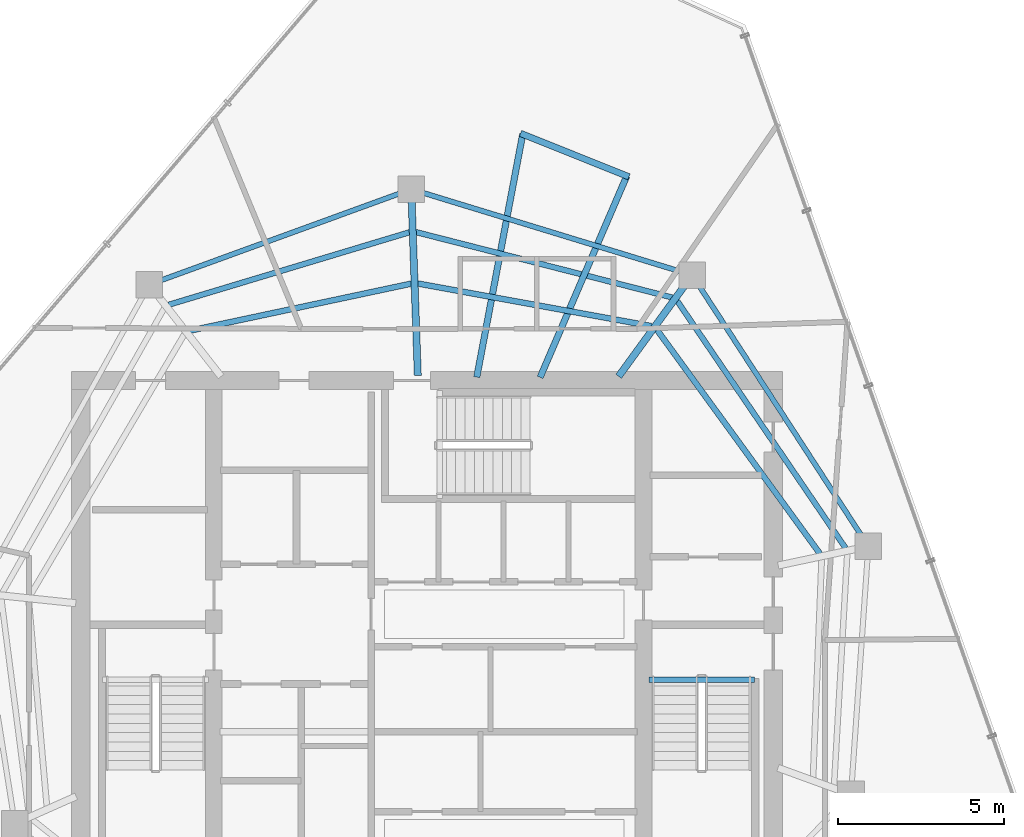
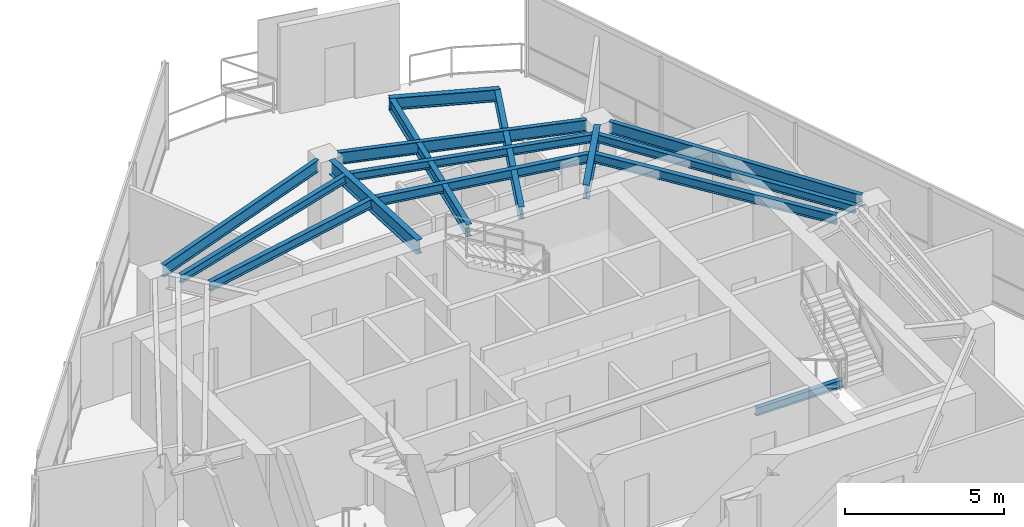
# One storey, part 9 of 18: 15 beams.
"""IFC4 building model written with IfcOpenShell, lengths in metres."""

import ifcopenshell
import ifcopenshell.guid

model = None  # the IFC model being written
_history = None  # IfcOwnerHistory: only IFC2X3 demands one
_inside = {}  # id of a spatial element -> (the spatial element, [elements in it])
_under = {}  # id of a project, library or spatial element -> (it, [spatial elements below it])
_declared = {}  # id of a project -> (the project, [libraries it declares])
_typed = {}  # id of a type object -> (the type object, [elements of that type])
_made_of = {}  # id of a material, layer set ... -> (it, [elements and type objects made of it])


def new_model(schema):
    """Start an empty IFC model of exactly this schema.

    Asked for "IFC4X3", IfcOpenShell would pick the latest addendum, in which some entities
    have other attributes; the version numbers below select the first issue.
    IFC2X3 requires an IfcOwnerHistory on every rooted entity: one is made here for all.
    """
    global model, _history
    if schema == "IFC4X3":
        model = ifcopenshell.file(schema_version=(4, 3, 0, 0))
    else:
        model = ifcopenshell.file(schema=schema)
    _inside.clear()
    _under.clear()
    _declared.clear()
    _typed.clear()
    _made_of.clear()
    _history = None
    if model.schema == "IFC2X3":
        org = make("IfcOrganization", Name="unknown")
        user = make(
            "IfcPersonAndOrganization",
            ThePerson=make("IfcPerson", FamilyName="unknown"),
            TheOrganization=org,
        )
        app = make(
            "IfcApplication",
            ApplicationDeveloper=org,
            Version="unknown",
            ApplicationFullName="unknown",
            ApplicationIdentifier="unknown",
        )
        _history = make(
            "IfcOwnerHistory",
            OwningUser=user,
            OwningApplication=app,
            ChangeAction="ADDED",
            CreationDate=0,
        )
    return model


def make(cls, **values):
    """One entity of the class cls with the attributes given. An attribute that is None is left unset."""
    return model.create_entity(
        cls, **{name: value for name, value in values.items() if value is not None}
    )


def rooted(cls, **values):
    """An entity with a GlobalId (a new one), such as an element, a storey or a relation."""
    return make(cls, GlobalId=ifcopenshell.guid.new(), OwnerHistory=_history, **values)


def si_unit(unit_type, name, prefix=None):
    """IfcSIUnit, for example si_unit("LENGTHUNIT", "METRE", prefix="MILLI")."""
    return make("IfcSIUnit", UnitType=unit_type, Prefix=prefix, Name=name)


def assignment(units):
    """IfcUnitAssignment: the units of a project."""
    return None if units is None else make("IfcUnitAssignment", Units=units)


def point(xyz):
    """IfcCartesianPoint."""
    return None if xyz is None else make("IfcCartesianPoint", Coordinates=xyz)


def direction(xyz):
    """IfcDirection."""
    return None if xyz is None else make("IfcDirection", DirectionRatios=xyz)


def frame(location, z_axis=None, x_axis=None):
    """IfcAxis2Placement3D, a coordinate frame: its origin and axes. An axis left out is left unset."""
    return make(
        "IfcAxis2Placement3D",
        Location=point(location),
        Axis=direction(z_axis),
        RefDirection=direction(x_axis),
    )


def frame_2d(location, x_axis=None):
    """IfcAxis2Placement2D, a coordinate frame in the plane: its origin and x axis."""
    return make(
        "IfcAxis2Placement2D", Location=point(location), RefDirection=direction(x_axis)
    )


def origin():
    """The frame at (0, 0, 0) with its axes left unset."""
    return frame((0.0, 0.0, 0.0))


def origin_2d():
    """The frame at (0, 0) in the plane with its x axis left unset."""
    return frame_2d((0.0, 0.0))


def place(relative_to, where):
    """IfcLocalPlacement: puts the frame where relative to a parent placement (None: the world)."""
    return make(
        "IfcLocalPlacement", PlacementRelTo=relative_to, RelativePlacement=where
    )


def context(
    kind, dimensions, precision=None, world=None, true_north=None, identifier=None
):
    """IfcGeometricRepresentationContext, for example the 3D "Model" context."""
    return make(
        "IfcGeometricRepresentationContext",
        ContextIdentifier=identifier,
        ContextType=kind,
        CoordinateSpaceDimension=dimensions,
        Precision=precision,
        WorldCoordinateSystem=world,
        TrueNorth=true_north,
    )


def subcontext(parent, identifier, kind, view, scale=None):
    """IfcGeometricRepresentationSubContext, for example "Body" below "Model"."""
    return make(
        "IfcGeometricRepresentationSubContext",
        ContextIdentifier=identifier,
        ContextType=kind,
        ParentContext=parent,
        TargetScale=scale,
        TargetView=view,
    )


def project(units=None, contexts=None):
    """IfcProject with its units and contexts."""
    return rooted(
        "IfcProject",
        Name="project",
        RepresentationContexts=contexts,
        UnitsInContext=assignment(units),
    )


def spatial(cls, under=None, at=None, **own):
    """A site, building, storey or space (cls), placed at a placement, below another one or the project."""
    s = rooted(cls, ObjectPlacement=at, **own)
    if under is not None:
        _under.setdefault(under.id(), (under, []))[1].append(s)
    return s


def profile(cls, at=None, kind="AREA", **sizes):
    """A parametric profile (cls). Its sizes go by their IFC names, for example OverallWidth=200.0."""
    return make(cls, ProfileType=kind, Position=at, **sizes)


def i_section(**sizes):
    """IfcIShapeProfileDef."""
    return profile("IfcIShapeProfileDef", **sizes)


def extrude(swept, where, along, depth):
    """IfcExtrudedAreaSolid: the profile swept, set in the frame where, extruded along a direction by depth."""
    return make(
        "IfcExtrudedAreaSolid",
        SweptArea=swept,
        Position=where,
        ExtrudedDirection=direction(along),
        Depth=depth,
    )


def shape(context_of_items, identifier, shape_type, items):
    """IfcShapeRepresentation: the items that make up one representation, for example the "Body"."""
    return make(
        "IfcShapeRepresentation",
        ContextOfItems=context_of_items,
        RepresentationIdentifier=identifier,
        RepresentationType=shape_type,
        Items=items,
    )


def material(Name=None, Category=None):
    """IfcMaterial."""
    return make("IfcMaterial", Name=Name, Category=Category)


def material_profile(
    of_material, cross_section, Name=None, Category=None, Priority=None
):
    """IfcMaterialProfile: a cross section and its material."""
    return make(
        "IfcMaterialProfile",
        Name=Name,
        Material=of_material,
        Profile=cross_section,
        Priority=Priority,
        Category=Category,
    )


def profile_set(profiles, Name=None, composite=None):
    """IfcMaterialProfileSet."""
    return make(
        "IfcMaterialProfileSet",
        Name=Name,
        MaterialProfiles=profiles,
        CompositeProfile=composite,
    )


def made_of(thing, what):
    """Note that an element or type object is made of a material, layer set ...; save() writes the relation."""
    if what is not None:
        _made_of.setdefault(what.id(), (what, []))[1].append(thing)
    return thing


def type_object(cls, material=None, **own):
    """A type object (cls), such as IfcWallType, which elements share."""
    return made_of(rooted(cls, **own), material)


def element(
    cls,
    number,
    at=None,
    inside=None,
    cuts=None,
    type_object=None,
    material=None,
    context=None,
    identifier="Body",
    shape_type=None,
    held_by="IfcProductDefinitionShape",
    body=None,
    shapes=None,
    **own,
):
    """One element of the class cls, such as IfcWall. Its Tag is "e" and its number.

    at: its placement. inside: the storey or other place that contains it. cuts: it is an
    opening in that element (IfcRelVoidsElement). A single representation is given by context,
    identifier, shape_type and body (its items); several are given by shapes. held_by: the class
    of the entity that holds the representations. save() writes the other relations.
    """
    e = rooted(cls, Tag="e%d" % number, ObjectPlacement=at, **own)
    if body is not None:
        shapes = [shape(context, identifier, shape_type, body)]
    if shapes is not None:
        e.Representation = make(held_by, Representations=shapes)
    if inside is not None:
        _inside.setdefault(inside.id(), (inside, []))[1].append(e)
    if cuts is not None:
        rooted(
            "IfcRelVoidsElement", RelatingBuildingElement=cuts, RelatedOpeningElement=e
        )
    if type_object is not None:
        _typed.setdefault(type_object.id(), (type_object, []))[1].append(e)
    return made_of(e, material)


def aggregate(whole, parts):
    """IfcRelAggregates: a whole, such as a stair, and the parts it consists of."""
    return rooted("IfcRelAggregates", RelatingObject=whole, RelatedObjects=parts)


def save(model, path):
    """Write the relations noted so far, then the file.

    IfcRelAggregates (storeys below a building ...), IfcRelContainedInSpatialStructure (elements
    in a storey), IfcRelDefinesByType, IfcRelAssociatesMaterial and IfcRelDeclares: one each for
    every whole, place, type object, material and project.
    """
    for whole, parts in _under.values():
        aggregate(whole, parts)
    for where, things in _inside.values():
        rooted(
            "IfcRelContainedInSpatialStructure",
            RelatedElements=things,
            RelatingStructure=where,
        )
    for kind, things in _typed.values():
        rooted("IfcRelDefinesByType", RelatedObjects=things, RelatingType=kind)
    for what, things in _made_of.values():
        rooted("IfcRelAssociatesMaterial", RelatedObjects=things, RelatingMaterial=what)
    for by, libraries in _declared.values():
        rooted("IfcRelDeclares", RelatingContext=by, RelatedDefinitions=libraries)
    model.write(path)


model = new_model("IFC4")

# Units and contexts
model_context = context("Model", 3, precision=1e-05, world=origin(), true_north=direction((0.0, 1.0)))
body_context = subcontext(model_context, "Body", "Model", "MODEL_VIEW")
ifc_project = project(units=[si_unit("LENGTHUNIT", "METRE"), si_unit("AREAUNIT", "SQUARE_METRE"), si_unit("VOLUMEUNIT", "CUBIC_METRE"), si_unit("PLANEANGLEUNIT", "RADIAN"), si_unit("MASSUNIT", "GRAM", prefix="KILO")], contexts=[model_context])

# Site, building, storey
site_placement = place(None, origin())
site = spatial("IfcSite", under=ifc_project, at=site_placement, CompositionType="ELEMENT")
building_placement = place(site_placement, origin())
building = spatial("IfcBuilding", under=site, at=building_placement, Name="Qarnah Convention Tower", CompositionType="ELEMENT")
storey_placement = place(building_placement, frame((0.0, 0.0, 253.5)))
storey = spatial("IfcBuildingStorey", under=building, at=storey_placement, Name="L68", CompositionType="ELEMENT", Elevation=253.5)

# Beams
ifc_material = material(Name="Structural steel S355JR", Category="steel")
ifc_material_profile_1 = material_profile(ifc_material, i_section(OverallWidth=0.19189453125, OverallDepth=0.464111328125, WebThickness=0.010986328125, FlangeThickness=0.01806640625, at=origin_2d()), Name="W460X89")
ifc_profile_set_1 = profile_set([ifc_material_profile_1], Name="Structural steel S355JR")
beam_type_1 = type_object("IfcBeamType", Name="BM-CANT-W460A", PredefinedType="BEAM", material=ifc_profile_set_1)
beam_1_placement = place(storey_placement, frame((38.694091796875, 34.298095703125, 3.087890625), z_axis=(0.185836759901, 0.982580632146, 0.0), x_axis=(-0.982580632146, 0.185836759901, 0.0)))
element("IfcBeam", 1, at=beam_1_placement, inside=storey, type_object=beam_type_1, Name="L68 beam BM-L68-CNT-01-1", PredefinedType="BEAM", context=body_context, shape_type="SweptSolid", body=[
    extrude(i_section(OverallWidth=0.19189453125, OverallDepth=0.464111328125, WebThickness=0.010986328125, FlangeThickness=0.01806640625, at=origin_2d()), origin(), (0.0, 0.0, 1.0), 7.42529296875),
])
beam_2_placement = place(storey_placement, frame((40.596923828125, 34.2919921875, 3.087890625), z_axis=(0.395203303624, 0.918593679929, 0.0), x_axis=(-0.918593679929, 0.395203303624, 0.0)))
element("IfcBeam", 2, at=beam_2_placement, inside=storey, type_object=beam_type_1, Name="L68 beam BM-L68-CNT-01-2", PredefinedType="BEAM", context=body_context, shape_type="SweptSolid", body=[
    extrude(i_section(OverallWidth=0.19189453125, OverallDepth=0.464111328125, WebThickness=0.010986328125, FlangeThickness=0.01806640625, at=origin_2d()), origin(), (0.0, 0.0, 1.0), 6.583984375),
])
beam_3_placement = place(storey_placement, frame((40.009033203125, 41.6201171875, 3.087890625), z_axis=(0.928063247738, -0.372422620417, 0.0), x_axis=(0.372422620417, 0.928063247738, 0.0)))
element("IfcBeam", 3, at=beam_3_placement, inside=storey, type_object=beam_type_1, Name="L68 spandrel BM-L68-CTIE-01", PredefinedType="SPANDREL", context=body_context, shape_type="SweptSolid", body=[
    extrude(i_section(OverallWidth=0.19189453125, OverallDepth=0.464111328125, WebThickness=0.010986328125, FlangeThickness=0.01806640625, at=origin_2d()), origin(), (0.0, 0.0, 1.0), 3.507080078125),
])
ifc_material_profile_2 = material_profile(ifc_material, i_section(OverallWidth=0.166015625, OverallDepth=0.31201171875, WebThickness=0.007080078125, FlangeThickness=0.010986328125, at=origin_2d()), Name="W310X45")
ifc_profile_set_2 = profile_set([ifc_material_profile_2], Name="Structural steel S355JR")
beam_type_2 = type_object("IfcBeamType", Name="BM-JST-W310", PredefinedType="JOIST", material=ifc_profile_set_2)
beam_4_placement = place(storey_placement, frame((43.860107421875, 25.217041015625, -0.156005859375), z_axis=(1.0, 0.0, 0.0), x_axis=(0.0, 1.0, 0.0)))
element("IfcBeam", 4, at=beam_4_placement, inside=storey, type_object=beam_type_2, Name="L68 stair landing trimmer beam BM-L68-ST2-TRM", PredefinedType="BEAM", context=body_context, shape_type="SweptSolid", body=[
    extrude(i_section(OverallWidth=0.166015625, OverallDepth=0.31201171875, WebThickness=0.007080078125, FlangeThickness=0.010986328125, at=origin_2d()), origin(), (0.0, 0.0, 1.0), 3.179931640625),
])
beam_5_placement = place(storey_placement, frame((49.77490234375, 29.156982421875, 3.1640625), z_axis=(-0.563001631712, 0.826455783869, 0.0), x_axis=(-0.826455783869, -0.563001631712, 0.0)))
element("IfcBeam", 5, at=beam_5_placement, inside=storey, type_object=beam_type_2, Name="L68 joist BM-L68-SJST-01", PredefinedType="JOIST", context=body_context, shape_type="SweptSolid", body=[
    extrude(i_section(OverallWidth=0.166015625, OverallDepth=0.31201171875, WebThickness=0.007080078125, FlangeThickness=0.010986328125, at=origin_2d()), origin(), (0.0, 0.0, 1.0), 8.996337890625),
])
beam_6_placement = place(storey_placement, frame((44.572021484375, 36.68798828125, 3.1640625), z_axis=(-0.968934754796, 0.247316479331, 0.0), x_axis=(-0.247316479331, -0.968934754796, 0.0)))
element("IfcBeam", 6, at=beam_6_placement, inside=storey, type_object=beam_type_2, Name="L68 joist BM-L68-SJST-02", PredefinedType="JOIST", context=body_context, shape_type="SweptSolid", body=[
    extrude(i_section(OverallWidth=0.166015625, OverallDepth=0.31201171875, WebThickness=0.007080078125, FlangeThickness=0.010986328125, at=origin_2d()), origin(), (0.0, 0.0, 1.0), 7.96142578125),
])
beam_7_placement = place(storey_placement, frame((36.68505859375, 38.653076171875, 3.1640625), z_axis=(-0.957523859176, -0.288354051661, 0.0), x_axis=(0.288354051661, -0.957523859176, 0.0)))
element("IfcBeam", 7, at=beam_7_placement, inside=storey, type_object=beam_type_2, Name="L68 joist BM-L68-SJST-03", PredefinedType="JOIST", context=body_context, shape_type="SweptSolid", body=[
    extrude(i_section(OverallWidth=0.166015625, OverallDepth=0.31201171875, WebThickness=0.007080078125, FlangeThickness=0.010986328125, at=origin_2d()), origin(), (0.0, 0.0, 1.0), 7.567626953125),
])
ifc_material_profile_3 = material_profile(ifc_material, i_section(OverallWidth=0.172119140625, OverallDepth=0.35595703125, WebThickness=0.007080078125, FlangeThickness=0.011962890625, at=origin_2d()), Name="W360X51")
ifc_profile_set_3 = profile_set([ifc_material_profile_3], Name="Structural steel S355JR")
beam_type_3 = type_object("IfcBeamType", Name="BM-JST-W360", PredefinedType="JOIST", material=ifc_profile_set_3)
beam_8_placement = place(storey_placement, frame((49.0029296875, 28.992919921875, 3.14208984375), z_axis=(-0.588556041219, 0.808456422045, 0.0), x_axis=(-0.808456422045, -0.588556041219, 0.0)))
element("IfcBeam", 8, at=beam_8_placement, inside=storey, type_object=beam_type_3, Name="L68 joist BM-L68-IJST-01", PredefinedType="JOIST", context=body_context, shape_type="SweptSolid", body=[
    extrude(i_section(OverallWidth=0.172119140625, OverallDepth=0.35595703125, WebThickness=0.007080078125, FlangeThickness=0.011962890625, at=origin_2d()), origin(), (0.0, 0.0, 1.0), 8.345703125),
])
beam_9_placement = place(storey_placement, frame((43.948974609375, 35.8291015625, 3.14208984375), z_axis=(-0.983774174693, 0.179411184731, 0.0), x_axis=(-0.179411184731, -0.983774174693, 0.0)))
element("IfcBeam", 9, at=beam_9_placement, inside=storey, type_object=beam_type_3, Name="L68 joist BM-L68-IJST-02", PredefinedType="JOIST", context=body_context, shape_type="SweptSolid", body=[
    extrude(i_section(OverallWidth=0.172119140625, OverallDepth=0.35595703125, WebThickness=0.007080078125, FlangeThickness=0.011962890625, at=origin_2d()), origin(), (0.0, 0.0, 1.0), 7.15087890625),
])
beam_10_placement = place(storey_placement, frame((36.737060546875, 37.10888671875, 3.14208984375), z_axis=(-0.978144875608, -0.207924511115, 0.0), x_axis=(0.207924511115, -0.978144875608, 0.0)))
element("IfcBeam", 10, at=beam_10_placement, inside=storey, type_object=beam_type_3, Name="L68 joist BM-L68-IJST-03", PredefinedType="JOIST", context=body_context, shape_type="SweptSolid", body=[
    extrude(i_section(OverallWidth=0.172119140625, OverallDepth=0.35595703125, WebThickness=0.007080078125, FlangeThickness=0.011962890625, at=origin_2d()), origin(), (0.0, 0.0, 1.0), 6.83837890625),
])
ifc_material_profile_4 = material_profile(ifc_material, i_section(OverallWidth=0.2119140625, OverallDepth=0.5400390625, WebThickness=0.011962890625, FlangeThickness=0.01904296875, at=origin_2d()), Name="W530X109")
ifc_profile_set_4 = profile_set([ifc_material_profile_4], Name="Structural steel S355JR")
beam_type_4 = type_object("IfcBeamType", Name="BM-RAD-W530A", PredefinedType="BEAM", material=ifc_profile_set_4)
beam_11_placement = place(storey_placement, frame((42.955078125, 34.321044921875, 3.050048828125), z_axis=(0.587699029113, 0.809079632162, 0.0), x_axis=(-0.809079632162, 0.587699029113, 0.0)))
element("IfcBeam", 11, at=beam_11_placement, inside=storey, type_object=beam_type_4, Name="L68 beam BM-L68-RAD-02", PredefinedType="BEAM", context=body_context, shape_type="SweptSolid", body=[
    extrude(i_section(OverallWidth=0.2119140625, OverallDepth=0.5400390625, WebThickness=0.011962890625, FlangeThickness=0.01904296875, at=origin_2d()), origin(), (0.0, 0.0, 1.0), 3.37890625),
])
beam_12_placement = place(storey_placement, frame((36.923095703125, 34.35009765625, 3.050048828125), z_axis=(-0.035110435588, 0.999383438582, 0.0), x_axis=(-0.999383438582, -0.035110435588, 0.0)))
element("IfcBeam", 12, at=beam_12_placement, inside=storey, type_object=beam_type_4, Name="L68 beam BM-L68-RAD-03", PredefinedType="BEAM", context=body_context, shape_type="SweptSolid", body=[
    extrude(i_section(OverallWidth=0.2119140625, OverallDepth=0.5400390625, WebThickness=0.011962890625, FlangeThickness=0.01904296875, at=origin_2d()), origin(), (0.0, 0.0, 1.0), 5.215087890625),
])
ifc_material_profile_5 = material_profile(ifc_material, i_section(OverallWidth=0.154052734375, OverallDepth=0.4599609375, WebThickness=0.009033203125, FlangeThickness=0.014892578125, at=origin_2d()), Name="W460X68")
ifc_profile_set_5 = profile_set([ifc_material_profile_5], Name="Structural steel S355JR")
beam_type_5 = type_object("IfcBeamType", Name="BM-SPN-W460B", PredefinedType="SPANDREL", material=ifc_profile_set_5)
beam_13_placement = place(storey_placement, frame((50.241943359375, 29.5439453125, 3.090087890625), z_axis=(-0.544739511184, 0.838605309401, 0.0), x_axis=(-0.838605309401, -0.544739511184, 0.0)))
element("IfcBeam", 13, at=beam_13_placement, inside=storey, type_object=beam_type_5, Name="L68 spandrel BM-L68-SPN-01", PredefinedType="SPANDREL", context=body_context, shape_type="SweptSolid", body=[
    extrude(i_section(OverallWidth=0.154052734375, OverallDepth=0.4599609375, WebThickness=0.009033203125, FlangeThickness=0.014892578125, at=origin_2d()), origin(), (0.0, 0.0, 1.0), 8.9326171875),
])
beam_14_placement = place(storey_placement, frame((44.791015625, 37.47607421875, 3.090087890625), z_axis=(-0.95628886523, 0.292423675918, 0.0), x_axis=(-0.292423675918, -0.95628886523, 0.0)))
element("IfcBeam", 14, at=beam_14_placement, inside=storey, type_object=beam_type_5, Name="L68 spandrel BM-L68-SPN-02", PredefinedType="SPANDREL", context=body_context, shape_type="SweptSolid", body=[
    extrude(i_section(OverallWidth=0.154052734375, OverallDepth=0.4599609375, WebThickness=0.009033203125, FlangeThickness=0.014892578125, at=origin_2d()), origin(), (0.0, 0.0, 1.0), 8.04248046875),
])
beam_15_placement = place(storey_placement, frame((36.361083984375, 39.80908203125, 3.090087890625), z_axis=(-0.939671356419, -0.342078561044, 0.0), x_axis=(0.342078561044, -0.939671356419, 0.0)))
element("IfcBeam", 15, at=beam_15_placement, inside=storey, type_object=beam_type_5, Name="L68 spandrel BM-L68-SPN-03", PredefinedType="SPANDREL", context=body_context, shape_type="SweptSolid", body=[
    extrude(i_section(OverallWidth=0.154052734375, OverallDepth=0.4599609375, WebThickness=0.009033203125, FlangeThickness=0.014892578125, at=origin_2d()), origin(), (0.0, 0.0, 1.0), 7.59521484375),
])

save(model, "model.ifc")
